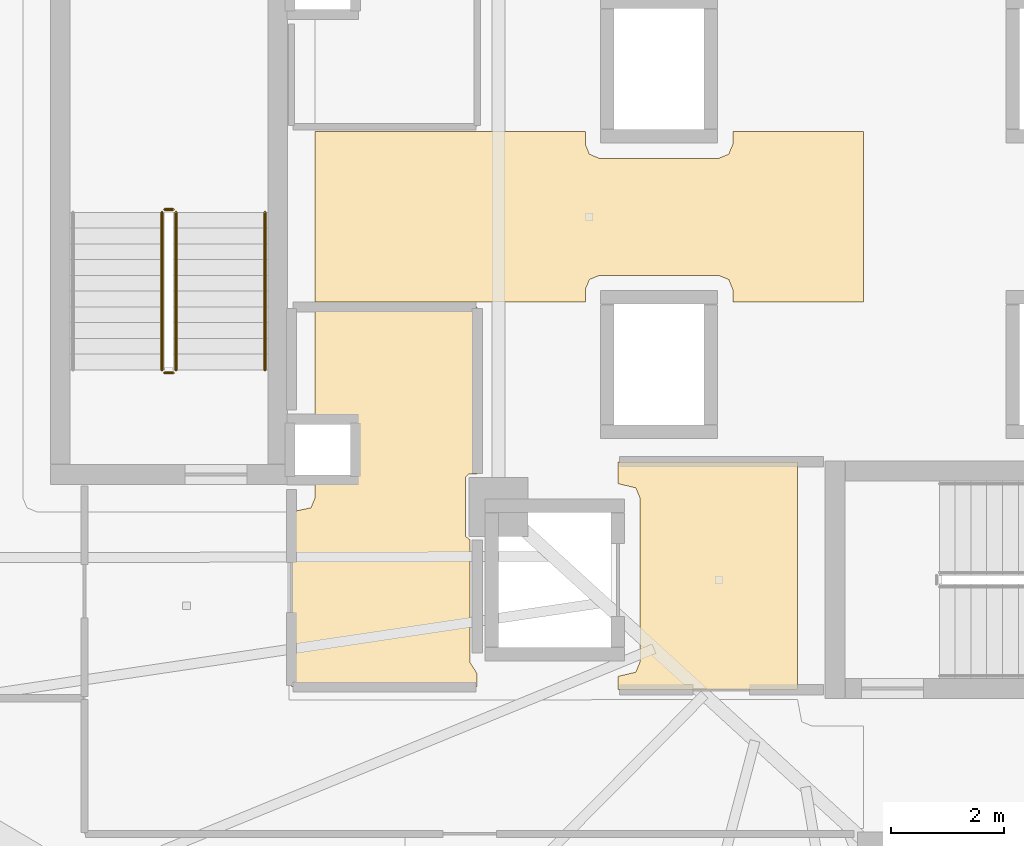
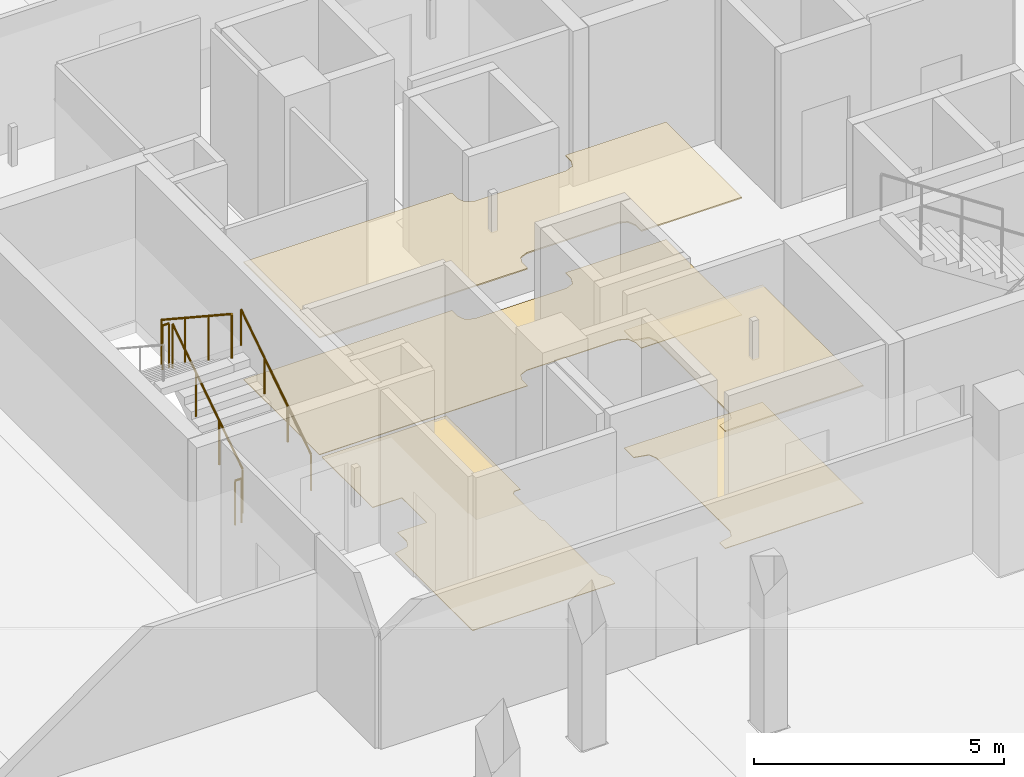
# One storey, part 30 of 35: 5 coverings, 5 railings.
"""IFC4 building model written with IfcOpenShell, lengths in metres."""

from ifc_helpers import new_model, si_unit, direction, frame, origin, origin_2d, place, context, subcontext, project, spatial, polyline, circle, outline, extrude, material, layer, layer_set, type_object, element, save


model = new_model("IFC4")

# Units and contexts
model_context = context("Model", 3, precision=1e-05, world=origin(), true_north=direction((0.0, 1.0)))
body_context = subcontext(model_context, "Body", "Model", "MODEL_VIEW")
ifc_project = project(units=[si_unit("LENGTHUNIT", "METRE"), si_unit("AREAUNIT", "SQUARE_METRE"), si_unit("VOLUMEUNIT", "CUBIC_METRE"), si_unit("PLANEANGLEUNIT", "RADIAN"), si_unit("MASSUNIT", "GRAM", prefix="KILO")], contexts=[model_context])

# Site, building, storey
site_placement = place(None, origin())
site = spatial("IfcSite", under=ifc_project, at=site_placement, CompositionType="ELEMENT")
building_placement = place(site_placement, origin())
building = spatial("IfcBuilding", under=site, at=building_placement, Name="Qorvath Tower", CompositionType="ELEMENT")
storey_placement = place(building_placement, frame((0.0, 0.0, 130.050048828125)))
storey = spatial("IfcBuildingStorey", under=building, at=storey_placement, Name="L29", CompositionType="ELEMENT", Elevation=130.050048828125)

# Coverings
ifc_material_1 = material(Name="Acoustic mineral fibre ceiling tile", Category="gypsum")
ifc_layer_1 = layer(ifc_material_1, 0.030029296875)
ifc_layer_set_1 = layer_set([ifc_layer_1], Name="COV-CEIL")
covering_type_1 = type_object("IfcCoveringType", Name="COV-CEIL", PredefinedType="CEILING", material=ifc_layer_set_1)
covering_1_placement = place(storey_placement, frame((0.0, 0.0, 2.849853515625)))
element("IfcCovering", 1, at=covering_1_placement, inside=storey, type_object=covering_type_1, Name="L29 Suspended Acoustic Ceiling 002", PredefinedType="CEILING", context=body_context, shape_type="SweptSolid", body=[
    extrude(outline(polyline([(-25.18994140625, -8.39501953125), (-25.18994140625, -4.35498046875), (-28.375, -4.35498046875), (-28.375, -4.739990234375), (-28.063232421875, -4.813232421875), (-27.989990234375, -4.989990234375), (-27.989990234375, -7.909912109375), (-28.063232421875, -8.086669921875), (-28.375, -8.159912109375), (-28.375, -8.39501953125), (-25.18994140625, -8.39501953125)])), origin(), (0.0, 0.0, 1.0), 0.030029296875),
])
covering_2_placement = place(storey_placement, frame((0.0, 0.0, 2.849853515625)))
element("IfcCovering", 2, at=covering_2_placement, inside=storey, type_object=covering_type_1, Name="L29 Suspended Acoustic Ceiling 008", PredefinedType="CEILING", context=body_context, shape_type="SweptSolid", body=[
    extrude(outline(polyline([(-24.02001953125, -1.514892578125), (-24.02001953125, 1.514892578125), (-26.340087890625, 1.514892578125), (-26.340087890625, 1.2900390625), (-26.413330078125, 1.11328125), (-26.590087890625, 1.0400390625), (-28.7099609375, 1.0400390625), (-28.88671875, 1.11328125), (-28.9599609375, 1.2900390625), (-28.9599609375, 1.514892578125), (-33.760009765625, 1.514892578125), (-33.760009765625, -1.514892578125), (-28.9599609375, -1.514892578125), (-28.9599609375, -1.2900390625), (-28.88671875, -1.11328125), (-28.7099609375, -1.0400390625), (-26.590087890625, -1.0400390625), (-26.413330078125, -1.11328125), (-26.340087890625, -1.2900390625), (-26.340087890625, -1.514892578125), (-24.02001953125, -1.514892578125)])), origin(), (0.0, 0.0, 1.0), 0.030029296875),
])
ifc_material_2 = material(Name="Low-VOC modular carpet tile", Category="textile")
ifc_layer_2 = layer(ifc_material_2, 0.014892578125)
ifc_layer_set_2 = layer_set([ifc_layer_2], Name="COV-FLOOR-CPT")
covering_type_2 = type_object("IfcCoveringType", Name="COV-FLOOR-CPT", PredefinedType="FLOORING", material=ifc_layer_set_2)
covering_3_placement = place(storey_placement, origin())
element("IfcCovering", 3, at=covering_3_placement, inside=storey, type_object=covering_type_2, Name="L29 Floor Finish 005", PredefinedType="FLOORING", context=body_context, shape_type="SweptSolid", body=[
    extrude(outline(polyline([(-30.885009765625, -1.60498046875), (-33.760009765625, -1.60498046875), (-33.760009765625, -3.636962890625), (-33.08837890625, -3.638427734375), (-33.0869140625, -4.6279296875), (-33.760009765625, -4.633056640625), (-33.760009765625, -4.989990234375), (-33.833251953125, -5.166748046875), (-34.175048828125, -5.239990234375), (-34.175048828125, -8.344970703125), (-30.885009765625, -8.344970703125), (-30.885009765625, -8.108154296875), (-31.010009765625, -7.909912109375), (-31.010009765625, -5.735107421875), (-31.0849609375, -5.675048828125), (-31.0849609375, -4.625), (-31.02490234375, -4.56494140625), (-30.885009765625, -4.56494140625), (-30.885009765625, -1.60498046875)])), origin(), (0.0, 0.0, 1.0), 0.014892578125),
])
ifc_material_3 = material(Name="Polished epoxy terrazzo flooring", Category="concrete")
ifc_layer_3 = layer(ifc_material_3, 0.02001953125)
ifc_layer_set_3 = layer_set([ifc_layer_3], Name="COV-FLOOR-TRZ")
covering_type_3 = type_object("IfcCoveringType", Name="COV-FLOOR-TRZ", PredefinedType="FLOORING", material=ifc_layer_set_3)
covering_4_placement = place(storey_placement, origin())
element("IfcCovering", 4, at=covering_4_placement, inside=storey, type_object=covering_type_3, Name="L29 Floor Finish 002", PredefinedType="FLOORING", context=body_context, shape_type="SweptSolid", body=[
    extrude(outline(polyline([(-25.18994140625, -8.39501953125), (-25.18994140625, -4.35498046875), (-28.375, -4.35498046875), (-28.375, -4.739990234375), (-28.063232421875, -4.813232421875), (-27.989990234375, -4.989990234375), (-27.989990234375, -7.909912109375), (-28.063232421875, -8.086669921875), (-28.375, -8.159912109375), (-28.375, -8.39501953125), (-25.18994140625, -8.39501953125)])), origin(), (0.0, 0.0, 1.0), 0.014892578125),
])
covering_5_placement = place(storey_placement, origin())
element("IfcCovering", 5, at=covering_5_placement, inside=storey, type_object=covering_type_3, Name="L29 Floor Finish 008", PredefinedType="FLOORING", context=body_context, shape_type="SweptSolid", body=[
    extrude(outline(polyline([(-24.02001953125, -1.514892578125), (-24.02001953125, 1.514892578125), (-26.340087890625, 1.514892578125), (-26.340087890625, 1.2900390625), (-26.413330078125, 1.11328125), (-26.590087890625, 1.0400390625), (-28.7099609375, 1.0400390625), (-28.88671875, 1.11328125), (-28.9599609375, 1.2900390625), (-28.9599609375, 1.514892578125), (-33.760009765625, 1.514892578125), (-33.760009765625, -1.514892578125), (-28.9599609375, -1.514892578125), (-28.9599609375, -1.2900390625), (-28.88671875, -1.11328125), (-28.7099609375, -1.0400390625), (-26.590087890625, -1.0400390625), (-26.413330078125, -1.11328125), (-26.340087890625, -1.2900390625), (-26.340087890625, -1.514892578125), (-24.02001953125, -1.514892578125)])), origin(), (0.0, 0.0, 1.0), 0.014892578125),
])

# Railings
ifc_material_4 = material(Name="Painted galvanised steel", Category="steel")
railing_type_1 = type_object("IfcRailingType", Name="RL-STR-GRD", PredefinedType="GUARDRAIL", material=ifc_material_4)
railing_1_placement = place(storey_placement, frame((-36.22998046875, -2.719970703125, 0.18408203125)))
element("IfcRailing", 6, at=railing_1_placement, inside=storey, type_object=railing_type_1, Name="L29 TS3 stair guard 1", PredefinedType="GUARDRAIL", context=body_context, shape_type="SweptSolid", body=[
    extrude(circle(Radius=0.02392578125, at=origin_2d()), frame((0.0, 0.0, 1.076171875), z_axis=(0.0, 0.835597507184, 0.549342157483), x_axis=(-1.0, 0.0, 0.0)), (0.0, 0.0, 1.0), 3.35107421875),
    extrude(circle(Radius=0.02099609375, at=origin_2d()), origin(), (0.0, 0.0, 1.0), 1.052001953125),
    extrude(circle(Radius=0.02099609375, at=origin_2d()), frame((0.0, 0.933349609375, 0.613525390625)), (0.0, 0.0, 1.0), 1.052001953125),
    extrude(circle(Radius=0.02099609375, at=origin_2d()), frame((0.0, 1.86669921875, 1.227294921875)), (0.0, 0.0, 1.0), 1.052001953125),
    extrude(circle(Radius=0.02099609375, at=origin_2d()), frame((0.0, 2.800048828125, 1.8408203125)), (0.0, 0.0, 1.0), 1.052001953125),
])
railing_2_placement = place(storey_placement, frame((-36.280029296875, 0.1298828125, 2.02490234375)))
element("IfcRailing", 7, at=railing_2_placement, inside=storey, type_object=railing_type_1, Name="L29 TS3 stair guard 2", PredefinedType="GUARDRAIL", context=body_context, shape_type="SweptSolid", body=[
    extrude(circle(Radius=0.02392578125, at=origin_2d()), frame((0.0, 0.0, 1.076171875), z_axis=(-1.0, 0.0, 0.0), x_axis=(0.0, -1.0, 0.0)), (0.0, 0.0, 1.0), 0.14990234375),
    extrude(circle(Radius=0.02099609375, at=origin_2d()), origin(), (0.0, 0.0, 1.0), 1.052001953125),
    extrude(circle(Radius=0.02099609375, at=origin_2d()), frame((-0.14990234375, 0.0, 0.0)), (0.0, 0.0, 1.0), 1.052001953125),
])
railing_3_placement = place(storey_placement, frame((-36.47998046875, 0.080078125, 2.208984375)))
element("IfcRailing", 8, at=railing_3_placement, inside=storey, type_object=railing_type_1, Name="L29 TS3 stair guard 3", PredefinedType="GUARDRAIL", context=body_context, shape_type="SweptSolid", body=[
    extrude(circle(Radius=0.02392578125, at=origin_2d()), frame((0.0, 0.0, 1.076171875), z_axis=(0.0, -0.83556406348, 0.549393024911), x_axis=(1.0, 0.0, 0.0)), (0.0, 0.0, 1.0), 3.35107421875),
    extrude(circle(Radius=0.02099609375, at=origin_2d()), origin(), (0.0, 0.0, 1.0), 1.052001953125),
    extrude(circle(Radius=0.02099609375, at=origin_2d()), frame((0.0, -0.933349609375, 0.61376953125)), (0.0, 0.0, 1.0), 1.052001953125),
    extrude(circle(Radius=0.02099609375, at=origin_2d()), frame((0.0, -1.86669921875, 1.227294921875)), (0.0, 0.0, 1.0), 1.052001953125),
    extrude(circle(Radius=0.02099609375, at=origin_2d()), frame((0.0, -2.800048828125, 1.841064453125)), (0.0, 0.0, 1.0), 1.052001953125),
])
railing_4_placement = place(storey_placement, frame((-36.280029296875, -2.77001953125, 0.0)))
element("IfcRailing", 9, at=railing_4_placement, inside=storey, type_object=railing_type_1, Name="L29 TS3 stair guard 4", PredefinedType="GUARDRAIL", context=body_context, shape_type="SweptSolid", body=[
    extrude(circle(Radius=0.02392578125, at=origin_2d()), frame((0.0, 0.0, 1.076171875), z_axis=(-1.0, 0.0, 0.0), x_axis=(0.0, -1.0, 0.0)), (0.0, 0.0, 1.0), 0.14990234375),
    extrude(circle(Radius=0.02099609375, at=origin_2d()), origin(), (0.0, 0.0, 1.0), 1.052001953125),
    extrude(circle(Radius=0.02099609375, at=origin_2d()), frame((-0.14990234375, 0.0, 0.0)), (0.0, 0.0, 1.0), 1.052001953125),
])
ifc_material_5 = material(Name="Brushed stainless steel AISI 304", Category="steel")
railing_type_2 = type_object("IfcRailingType", Name="RL-STR-HND", PredefinedType="HANDRAIL", material=ifc_material_5)
railing_5_placement = place(storey_placement, frame((-34.64990234375, -2.719970703125, 0.18408203125)))
element("IfcRailing", 10, at=railing_5_placement, inside=storey, type_object=railing_type_2, Name="L29 TS3 stair handrail 1", PredefinedType="HANDRAIL", context=body_context, shape_type="SweptSolid", body=[
    extrude(circle(Radius=0.02392578125, at=origin_2d()), frame((0.0, 0.0, 0.8759765625), z_axis=(0.0, 0.835597507184, 0.549342157483), x_axis=(-1.0, 0.0, 0.0)), (0.0, 0.0, 1.0), 3.35107421875),
    extrude(circle(Radius=0.02099609375, at=origin_2d()), origin(), (0.0, 0.0, 1.0), 0.851806640625),
    extrude(circle(Radius=0.02099609375, at=origin_2d()), frame((0.0, 0.933349609375, 0.613525390625)), (0.0, 0.0, 1.0), 0.851806640625),
    extrude(circle(Radius=0.02099609375, at=origin_2d()), frame((0.0, 1.86669921875, 1.227294921875)), (0.0, 0.0, 1.0), 0.851806640625),
    extrude(circle(Radius=0.02099609375, at=origin_2d()), frame((0.0, 2.800048828125, 1.8408203125)), (0.0, 0.0, 1.0), 0.851806640625),
])

save(model, "model.ifc")
